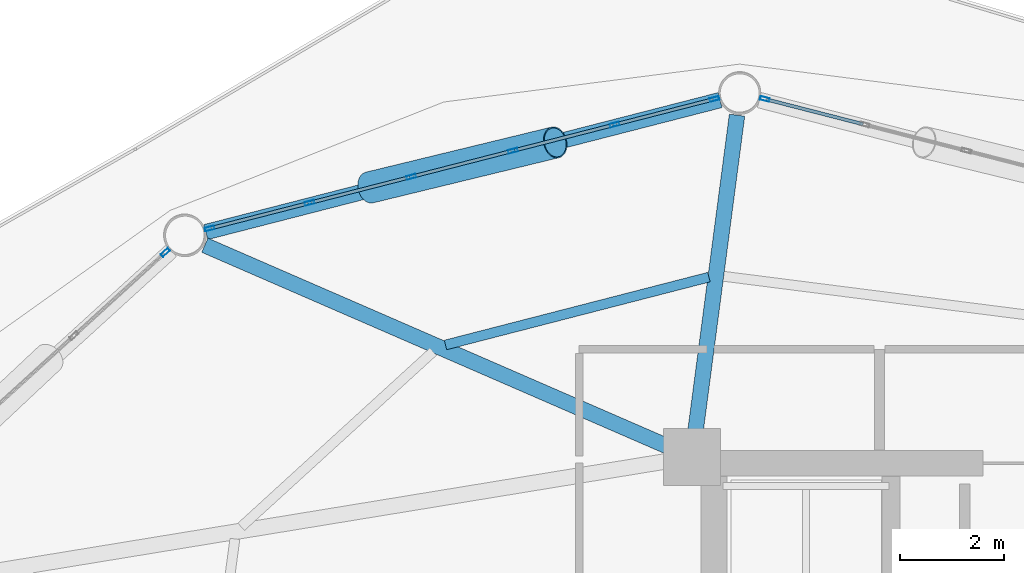
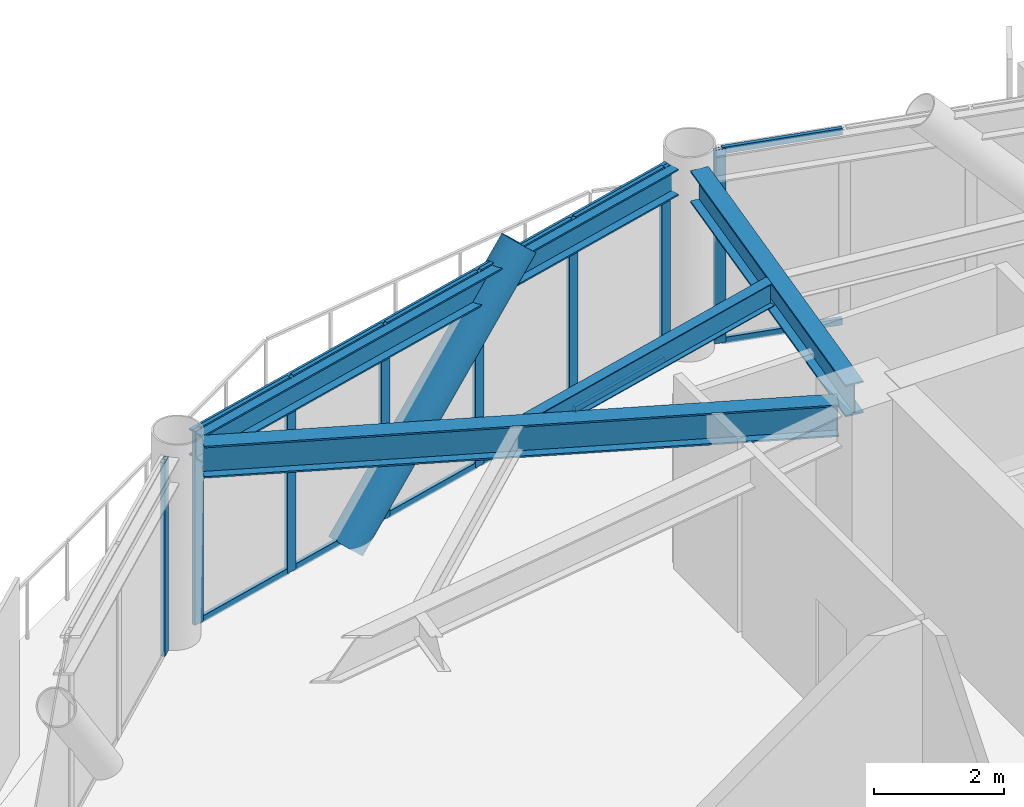
# One storey, part 16 of 24: 21 members, 4 beams, 3 elements without a shape of their own.
"""IFC4 building model written with IfcOpenShell, lengths in metres."""

from ifc_helpers import new_model, si_unit, direction, frame, origin, origin_2d, place, context, subcontext, project, spatial, hollow_rectangle, hollow_circle, i_section, extrude, material, layer, layer_set, material_profile, profile_set, type_object, element, aggregate, save


model = new_model("IFC4")

# Units and contexts
model_context = context("Model", 3, precision=1e-05, world=origin(), true_north=direction((0.0, 1.0)))
body_context = subcontext(model_context, "Body", "Model", "MODEL_VIEW")
ifc_project = project(units=[si_unit("LENGTHUNIT", "METRE"), si_unit("AREAUNIT", "SQUARE_METRE"), si_unit("VOLUMEUNIT", "CUBIC_METRE"), si_unit("PLANEANGLEUNIT", "RADIAN"), si_unit("MASSUNIT", "GRAM", prefix="KILO")], contexts=[model_context])

# Site, building, storey
site_placement = place(None, origin())
site = spatial("IfcSite", under=ifc_project, at=site_placement, CompositionType="ELEMENT")
building_placement = place(site_placement, origin())
building = spatial("IfcBuilding", under=site, at=building_placement, Name="Varnakorn Sky Granary", CompositionType="ELEMENT")
storey_placement = place(building_placement, frame((0.0, 0.0, 103.199951171875)))
storey = spatial("IfcBuildingStorey", under=building, at=storey_placement, Name="L25", CompositionType="ELEMENT", Elevation=103.199951171875)

# Beams
ifc_material_1 = material(Name="Steel S355JR", Category="steel")
ifc_material_profile_1 = material_profile(ifc_material_1, i_section(OverallWidth=0.300048828125, OverallDepth=0.60009765625, WebThickness=0.015380859375, FlangeThickness=0.030029296875, at=origin_2d()), Name="HE 600 B")
ifc_profile_set_1 = profile_set([ifc_material_profile_1], Name="Steel S355JR")
beam_type_1 = type_object("IfcBeamType", Name="BM-RAD-Z2", PredefinedType="BEAM", material=ifc_profile_set_1)
beam_1_placement = place(storey_placement, frame((-2.365234375, 13.036376953125, 3.340087890625), z_axis=(0.130464632058, 0.991452963979, 0.0), x_axis=(-0.991452963979, 0.130464632058, 0.0)))
element("IfcBeam", 1, at=beam_1_placement, inside=storey, type_object=beam_type_1, Name="Radial Floor Girder RG04 L25", PredefinedType="BEAM", context=body_context, shape_type="SweptSolid", body=[
    extrude(i_section(OverallWidth=0.300048828125, OverallDepth=0.60009765625, WebThickness=0.015380859375, FlangeThickness=0.030029296875, at=origin_2d()), origin(), (0.0, 0.0, 1.0), 6.24072265625),
])
beam_2_placement = place(storey_placement, frame((-2.80517578125, 12.787353515625, 3.340087890625), z_axis=(-0.917094109102, 0.398670785298, 0.0), x_axis=(-0.398670785298, -0.917094109102, 0.0)))
element("IfcBeam", 2, at=beam_2_placement, inside=storey, type_object=beam_type_1, Name="Radial Floor Girder RG05 L25", PredefinedType="BEAM", context=body_context, shape_type="SweptSolid", body=[
    extrude(i_section(OverallWidth=0.300048828125, OverallDepth=0.60009765625, WebThickness=0.015380859375, FlangeThickness=0.030029296875, at=origin_2d()), origin(), (0.0, 0.0, 1.0), 9.8427734375),
])
ifc_material_profile_2 = material_profile(ifc_material_1, i_section(OverallWidth=0.18994140625, OverallDepth=0.449951171875, WebThickness=0.009521484375, FlangeThickness=0.0146484375, at=origin_2d()), Name="IPE 450")
ifc_profile_set_2 = profile_set([ifc_material_profile_2], Name="Steel S355JR")
beam_type_2 = type_object("IfcBeamType", Name="BM-SEC-Z2", PredefinedType="BEAM", material=ifc_profile_set_2)
beam_3_placement = place(storey_placement, frame((-2.09375, 16.09521484375, 3.4150390625), z_axis=(-0.968396500208, -0.249415754083, 0.0), x_axis=(0.249415754083, -0.968396500208, 0.0)))
element("IfcBeam", 3, at=beam_3_placement, inside=storey, type_object=beam_type_2, Name="Secondary Floor Chord Beam MSB04 L25", PredefinedType="BEAM", context=body_context, shape_type="SweptSolid", body=[
    extrude(i_section(OverallWidth=0.18994140625, OverallDepth=0.449951171875, WebThickness=0.009521484375, FlangeThickness=0.0146484375, at=origin_2d()), origin(), (0.0, 0.0, 1.0), 5.25537109375),
])
ifc_material_profile_3 = material_profile(ifc_material_1, i_section(OverallWidth=0.300048828125, OverallDepth=0.5, WebThickness=0.014404296875, FlangeThickness=0.028076171875, at=origin_2d()), Name="HE 500 B")
ifc_profile_set_3 = profile_set([ifc_material_profile_3], Name="Steel S355JR")
beam_type_3 = type_object("IfcBeamType", Name="BM-SPD-Z2", PredefinedType="SPANDREL", material=ifc_profile_set_3)
beam_4_placement = place(storey_placement, frame((-1.879150390625, 19.5146484375, 3.39013671875), z_axis=(-0.968593917233, -0.248647991141, 0.0), x_axis=(0.248647991141, -0.968593917233, 0.0)))
element("IfcBeam", 4, at=beam_4_placement, inside=storey, type_object=beam_type_3, Name="Perimeter Spandrel Ring Beam RB04 L25", PredefinedType="SPANDREL", context=body_context, shape_type="SweptSolid", body=[
    extrude(i_section(OverallWidth=0.300048828125, OverallDepth=0.5, WebThickness=0.014404296875, FlangeThickness=0.028076171875, at=origin_2d()), origin(), (0.0, 0.0, 1.0), 10.254638671875),
])

# Curtain wall, member
ifc_material_2 = material(Name="Anodised Bronze Aluminium Alloy 6063-T6", Category="aluminium")
ifc_layer = layer(ifc_material_2, 0.179931640625, Name="Anodised Bronze Aluminium Alloy 6063-T6")
ifc_layer_set = layer_set([ifc_layer], Name="Anodised Bronze Aluminium Alloy 6063-T6")
curtain_wall_type = type_object("IfcCurtainWallType", Name="CW-FRM-2", PredefinedType="USERDEFINED", material=ifc_layer_set)
curtain_wall_1_placement = place(storey_placement, origin())
curtain_wall_1 = element("IfcCurtainWall", 5, at=curtain_wall_1_placement, inside=storey, type_object=curtain_wall_type, Name="Unitised Curtain Wall CW4 CW-L25-B03", ObjectType="CURTAIN WALL", PredefinedType="USERDEFINED")
ifc_material_profile_4 = material_profile(ifc_material_2, hollow_rectangle(XDim=0.070068359375, YDim=0.18505859375, WallThickness=0.00390625, at=origin_2d()), Name="ALU MULL 70x185")
ifc_profile_set_4 = profile_set([ifc_material_profile_4], Name="Anodised Bronze Aluminium Alloy 6063-T6")
member_type_1 = type_object("IfcMemberType", Name="CW-FRM-2-MULL", PredefinedType="MULLION", material=ifc_profile_set_4)
member_1_placement = place(storey_placement, frame((-1.01416015625, 19.535400390625, 0.0), z_axis=(0.0, 0.0, 1.0), x_axis=(0.24847715644, 0.968637756196, 0.0)))
member_1 = element("IfcMember", 6, at=member_1_placement, type_object=member_type_1, Name="CW4 mullion 1", PredefinedType="MULLION", context=body_context, shape_type="SweptSolid", body=[
    extrude(hollow_rectangle(XDim=0.070068359375, YDim=0.18505859375, WallThickness=0.00390625, at=origin_2d()), origin(), (0.0, 0.0, 1.0), 3.64013671875),
])

# Curtain wall, members
curtain_wall_2_placement = place(storey_placement, origin())
curtain_wall_2 = element("IfcCurtainWall", 7, at=curtain_wall_2_placement, inside=storey, type_object=curtain_wall_type, Name="Unitised Curtain Wall CW4 CW-L25-B04", ObjectType="CURTAIN WALL", PredefinedType="USERDEFINED")
member_2_placement = place(storey_placement, frame((-11.73828125, 17.03369140625, 0.0), z_axis=(0.0, 0.0, 1.0), x_axis=(-0.24847715644, 0.968637756196, 0.0)))
member_2 = element("IfcMember", 8, at=member_2_placement, type_object=member_type_1, Name="CW4 mullion 1", PredefinedType="MULLION", context=body_context, shape_type="SweptSolid", body=[
    extrude(hollow_rectangle(XDim=0.070068359375, YDim=0.18505859375, WallThickness=0.00390625, at=origin_2d()), origin(), (0.0, 0.0, 1.0), 3.64013671875),
])
member_3_placement = place(storey_placement, frame((-9.80810546875, 17.52880859375, 0.0), z_axis=(0.0, 0.0, 1.0), x_axis=(-0.24847715644, 0.968637756196, 0.0)))
member_3 = element("IfcMember", 9, at=member_3_placement, type_object=member_type_1, Name="CW4 mullion 2", PredefinedType="MULLION", context=body_context, shape_type="SweptSolid", body=[
    extrude(hollow_rectangle(XDim=0.070068359375, YDim=0.18505859375, WallThickness=0.00390625, at=origin_2d()), origin(), (0.0, 0.0, 1.0), 3.64013671875),
])
member_4_placement = place(storey_placement, frame((-7.843994140625, 18.03271484375, 0.0), z_axis=(0.0, 0.0, 1.0), x_axis=(-0.24847715644, 0.968637756196, 0.0)))
member_4 = element("IfcMember", 10, at=member_4_placement, type_object=member_type_1, Name="CW4 mullion 3", PredefinedType="MULLION", context=body_context, shape_type="SweptSolid", body=[
    extrude(hollow_rectangle(XDim=0.070068359375, YDim=0.18505859375, WallThickness=0.00390625, at=origin_2d()), origin(), (0.0, 0.0, 1.0), 3.64013671875),
])
member_5_placement = place(storey_placement, frame((-5.8798828125, 18.536376953125, 0.0), z_axis=(0.0, 0.0, 1.0), x_axis=(-0.24847715644, 0.968637756196, 0.0)))
member_5 = element("IfcMember", 11, at=member_5_placement, type_object=member_type_1, Name="CW4 mullion 4", PredefinedType="MULLION", context=body_context, shape_type="SweptSolid", body=[
    extrude(hollow_rectangle(XDim=0.070068359375, YDim=0.18505859375, WallThickness=0.00390625, at=origin_2d()), origin(), (0.0, 0.0, 1.0), 3.64013671875),
])
member_6_placement = place(storey_placement, frame((-3.916015625, 19.040283203125, 0.0), z_axis=(0.0, 0.0, 1.0), x_axis=(-0.24847715644, 0.968637756196, 0.0)))
member_6 = element("IfcMember", 12, at=member_6_placement, type_object=member_type_1, Name="CW4 mullion 5", PredefinedType="MULLION", context=body_context, shape_type="SweptSolid", body=[
    extrude(hollow_rectangle(XDim=0.070068359375, YDim=0.18505859375, WallThickness=0.00390625, at=origin_2d()), origin(), (0.0, 0.0, 1.0), 3.64013671875),
])
member_7_placement = place(storey_placement, frame((-1.98583984375, 19.535400390625, 0.0), z_axis=(0.0, 0.0, 1.0), x_axis=(-0.24847715644, 0.968637756196, 0.0)))
member_7 = element("IfcMember", 13, at=member_7_placement, type_object=member_type_1, Name="CW4 mullion 6", PredefinedType="MULLION", context=body_context, shape_type="SweptSolid", body=[
    extrude(hollow_rectangle(XDim=0.070068359375, YDim=0.18505859375, WallThickness=0.00390625, at=origin_2d()), origin(), (0.0, 0.0, 1.0), 3.64013671875),
])

# Curtain wall, member
curtain_wall_3_placement = place(storey_placement, origin())
curtain_wall_3 = element("IfcCurtainWall", 14, at=curtain_wall_3_placement, inside=storey, type_object=curtain_wall_type, Name="Unitised Curtain Wall CW4 CW-L25-B05", ObjectType="CURTAIN WALL", PredefinedType="USERDEFINED")
member_8_placement = place(storey_placement, frame((-12.594970703125, 16.571533203125, 0.0), z_axis=(0.0, 0.0, 1.0), x_axis=(-0.673184597183, 0.739474474282, 0.0)))
member_8 = element("IfcMember", 15, at=member_8_placement, type_object=member_type_1, Name="CW4 mullion 5", PredefinedType="MULLION", context=body_context, shape_type="SweptSolid", body=[
    extrude(hollow_rectangle(XDim=0.070068359375, YDim=0.18505859375, WallThickness=0.00390625, at=origin_2d()), origin(), (0.0, 0.0, 1.0), 3.64013671875),
])
aggregate(curtain_wall_3, [member_8])

# Member
ifc_material_profile_5 = material_profile(ifc_material_2, hollow_rectangle(XDim=0.06494140625, YDim=0.1201171875, WallThickness=0.00341796875, at=origin_2d()), Name="ALU TRAN 65x120")
ifc_profile_set_5 = profile_set([ifc_material_profile_5], Name="Anodised Bronze Aluminium Alloy 6063-T6")
member_type_2 = type_object("IfcMemberType", Name="CW-FRM-2-TRAN", PredefinedType="USERDEFINED", material=ifc_profile_set_5)
member_9_placement = place(storey_placement, frame((-0.980224609375, 19.526611328125, 0.032470703125), z_axis=(0.968660732407, -0.248387571131, 0.0), x_axis=(0.248387571131, 0.968660732407, 0.0)))
member_9 = element("IfcMember", 16, at=member_9_placement, type_object=member_type_2, Name="CW4 transom 1.1", ObjectType="TRANSOM", PredefinedType="USERDEFINED", context=body_context, shape_type="SweptSolid", body=[
    extrude(hollow_rectangle(XDim=0.06494140625, YDim=0.1201171875, WallThickness=0.00341796875, at=origin_2d()), origin(), (0.0, 0.0, 1.0), 1.922607421875),
])

member_10_placement = place(storey_placement, frame((-0.980224609375, 19.526611328125, 3.607666015625), z_axis=(0.968660732407, -0.248387571131, 0.0), x_axis=(0.248387571131, 0.968660732407, 0.0)))
member_10 = element("IfcMember", 17, at=member_10_placement, type_object=member_type_2, Name="CW4 transom 1.2", ObjectType="TRANSOM", PredefinedType="USERDEFINED", context=body_context, shape_type="SweptSolid", body=[
    extrude(hollow_rectangle(XDim=0.06494140625, YDim=0.1201171875, WallThickness=0.00341796875, at=origin_2d()), origin(), (0.0, 0.0, 1.0), 1.922607421875),
])

aggregate(curtain_wall_1, [member_1, member_9, member_10])

member_11_placement = place(storey_placement, frame((-11.704345703125, 17.04248046875, 0.032470703125), z_axis=(0.968660732407, 0.248387571131, 0.0), x_axis=(-0.248387571131, 0.968660732407, 0.0)))
member_11 = element("IfcMember", 18, at=member_11_placement, type_object=member_type_2, Name="CW4 transom 1.1", ObjectType="TRANSOM", PredefinedType="USERDEFINED", context=body_context, shape_type="SweptSolid", body=[
    extrude(hollow_rectangle(XDim=0.06494140625, YDim=0.1201171875, WallThickness=0.00341796875, at=origin_2d()), origin(), (0.0, 0.0, 1.0), 1.922607421875),
])

member_12_placement = place(storey_placement, frame((-11.704345703125, 17.04248046875, 3.607666015625), z_axis=(0.968660732407, 0.248387571131, 0.0), x_axis=(-0.248387571131, 0.968660732407, 0.0)))
member_12 = element("IfcMember", 19, at=member_12_placement, type_object=member_type_2, Name="CW4 transom 1.2", ObjectType="TRANSOM", PredefinedType="USERDEFINED", context=body_context, shape_type="SweptSolid", body=[
    extrude(hollow_rectangle(XDim=0.06494140625, YDim=0.1201171875, WallThickness=0.00341796875, at=origin_2d()), origin(), (0.0, 0.0, 1.0), 1.922607421875),
])

member_13_placement = place(storey_placement, frame((-9.774169921875, 17.53759765625, 0.032470703125), z_axis=(0.968650016028, 0.248429359074, 0.0), x_axis=(-0.248429359074, 0.968650016028, 0.0)))
member_13 = element("IfcMember", 20, at=member_13_placement, type_object=member_type_2, Name="CW4 transom 2.1", ObjectType="TRANSOM", PredefinedType="USERDEFINED", context=body_context, shape_type="SweptSolid", body=[
    extrude(hollow_rectangle(XDim=0.06494140625, YDim=0.1201171875, WallThickness=0.00341796875, at=origin_2d()), origin(), (0.0, 0.0, 1.0), 1.95751953125),
])

member_14_placement = place(storey_placement, frame((-9.774169921875, 17.53759765625, 3.607666015625), z_axis=(0.968650016028, 0.248429359074, 0.0), x_axis=(-0.248429359074, 0.968650016028, 0.0)))
member_14 = element("IfcMember", 21, at=member_14_placement, type_object=member_type_2, Name="CW4 transom 2.2", ObjectType="TRANSOM", PredefinedType="USERDEFINED", context=body_context, shape_type="SweptSolid", body=[
    extrude(hollow_rectangle(XDim=0.06494140625, YDim=0.1201171875, WallThickness=0.00341796875, at=origin_2d()), origin(), (0.0, 0.0, 1.0), 1.95751953125),
])

member_15_placement = place(storey_placement, frame((-7.81005859375, 18.041259765625, 0.032470703125), z_axis=(0.968619998688, 0.248546370205, 0.0), x_axis=(-0.248546370205, 0.968619998688, 0.0)))
member_15 = element("IfcMember", 22, at=member_15_placement, type_object=member_type_2, Name="CW4 transom 3.1", ObjectType="TRANSOM", PredefinedType="USERDEFINED", context=body_context, shape_type="SweptSolid", body=[
    extrude(hollow_rectangle(XDim=0.06494140625, YDim=0.1201171875, WallThickness=0.00341796875, at=origin_2d()), origin(), (0.0, 0.0, 1.0), 1.957763671875),
])

member_16_placement = place(storey_placement, frame((-7.81005859375, 18.041259765625, 3.607666015625), z_axis=(0.968619998688, 0.248546370205, 0.0), x_axis=(-0.248546370205, 0.968619998688, 0.0)))
member_16 = element("IfcMember", 23, at=member_16_placement, type_object=member_type_2, Name="CW4 transom 3.2", ObjectType="TRANSOM", PredefinedType="USERDEFINED", context=body_context, shape_type="SweptSolid", body=[
    extrude(hollow_rectangle(XDim=0.06494140625, YDim=0.1201171875, WallThickness=0.00341796875, at=origin_2d()), origin(), (0.0, 0.0, 1.0), 1.957763671875),
])

member_17_placement = place(storey_placement, frame((-5.84619140625, 18.545166015625, 0.032470703125), z_axis=(0.968650016028, 0.248429359074, 0.0), x_axis=(-0.248429359074, 0.968650016028, 0.0)))
member_17 = element("IfcMember", 24, at=member_17_placement, type_object=member_type_2, Name="CW4 transom 4.1", ObjectType="TRANSOM", PredefinedType="USERDEFINED", context=body_context, shape_type="SweptSolid", body=[
    extrude(hollow_rectangle(XDim=0.06494140625, YDim=0.1201171875, WallThickness=0.00341796875, at=origin_2d()), origin(), (0.0, 0.0, 1.0), 1.95751953125),
])

member_18_placement = place(storey_placement, frame((-5.84619140625, 18.545166015625, 3.607666015625), z_axis=(0.968650016028, 0.248429359074, 0.0), x_axis=(-0.248429359074, 0.968650016028, 0.0)))
member_18 = element("IfcMember", 25, at=member_18_placement, type_object=member_type_2, Name="CW4 transom 4.2", ObjectType="TRANSOM", PredefinedType="USERDEFINED", context=body_context, shape_type="SweptSolid", body=[
    extrude(hollow_rectangle(XDim=0.06494140625, YDim=0.1201171875, WallThickness=0.00341796875, at=origin_2d()), origin(), (0.0, 0.0, 1.0), 1.95751953125),
])

member_19_placement = place(storey_placement, frame((-3.882080078125, 19.049072265625, 0.032470703125), z_axis=(0.968660732407, 0.248387571131, 0.0), x_axis=(-0.248387571131, 0.968660732407, 0.0)))
member_19 = element("IfcMember", 26, at=member_19_placement, type_object=member_type_2, Name="CW4 transom 5.1", ObjectType="TRANSOM", PredefinedType="USERDEFINED", context=body_context, shape_type="SweptSolid", body=[
    extrude(hollow_rectangle(XDim=0.06494140625, YDim=0.1201171875, WallThickness=0.00341796875, at=origin_2d()), origin(), (0.0, 0.0, 1.0), 1.922607421875),
])

member_20_placement = place(storey_placement, frame((-3.882080078125, 19.049072265625, 3.607666015625), z_axis=(0.968660732407, 0.248387571131, 0.0), x_axis=(-0.248387571131, 0.968660732407, 0.0)))
member_20 = element("IfcMember", 27, at=member_20_placement, type_object=member_type_2, Name="CW4 transom 5.2", ObjectType="TRANSOM", PredefinedType="USERDEFINED", context=body_context, shape_type="SweptSolid", body=[
    extrude(hollow_rectangle(XDim=0.06494140625, YDim=0.1201171875, WallThickness=0.00341796875, at=origin_2d()), origin(), (0.0, 0.0, 1.0), 1.922607421875),
])

aggregate(curtain_wall_2, [member_2, member_3, member_4, member_5, member_6, member_7, member_11, member_12, member_13, member_14, member_15, member_16, member_17, member_18, member_19, member_20])

ifc_material_3 = material(Name="Steel S460M", Category="steel")
ifc_material_profile_6 = material_profile(ifc_material_3, hollow_circle(Radius=0.304931640625, WallThickness=0.022216796875, at=origin_2d()), Name="CHS 610x22")
ifc_profile_set_6 = profile_set([ifc_material_profile_6], Name="Steel S460M")
member_type_3 = type_object("IfcMemberType", Name="MB-DIAG-T1", PredefinedType="BRACE", material=ifc_profile_set_6)
member_21_placement = place(storey_placement, frame((-8.6494140625, 17.826171875, -0.1298828125), z_axis=(0.666055707324, 0.161808862513, 0.72813988131), x_axis=(-0.236069623511, 0.97173614364, 0.0)))
element("IfcMember", 28, at=member_21_placement, inside=storey, type_object=member_type_3, Name="Perimeter CHS Diagrid Brace DG04 L25", PredefinedType="BRACE", context=body_context, shape_type="SweptSolid", body=[
    extrude(hollow_circle(Radius=0.304931640625, WallThickness=0.022216796875, at=origin_2d()), origin(), (0.0, 0.0, 1.0), 5.383544921875),
])

save(model, "model.ifc")
